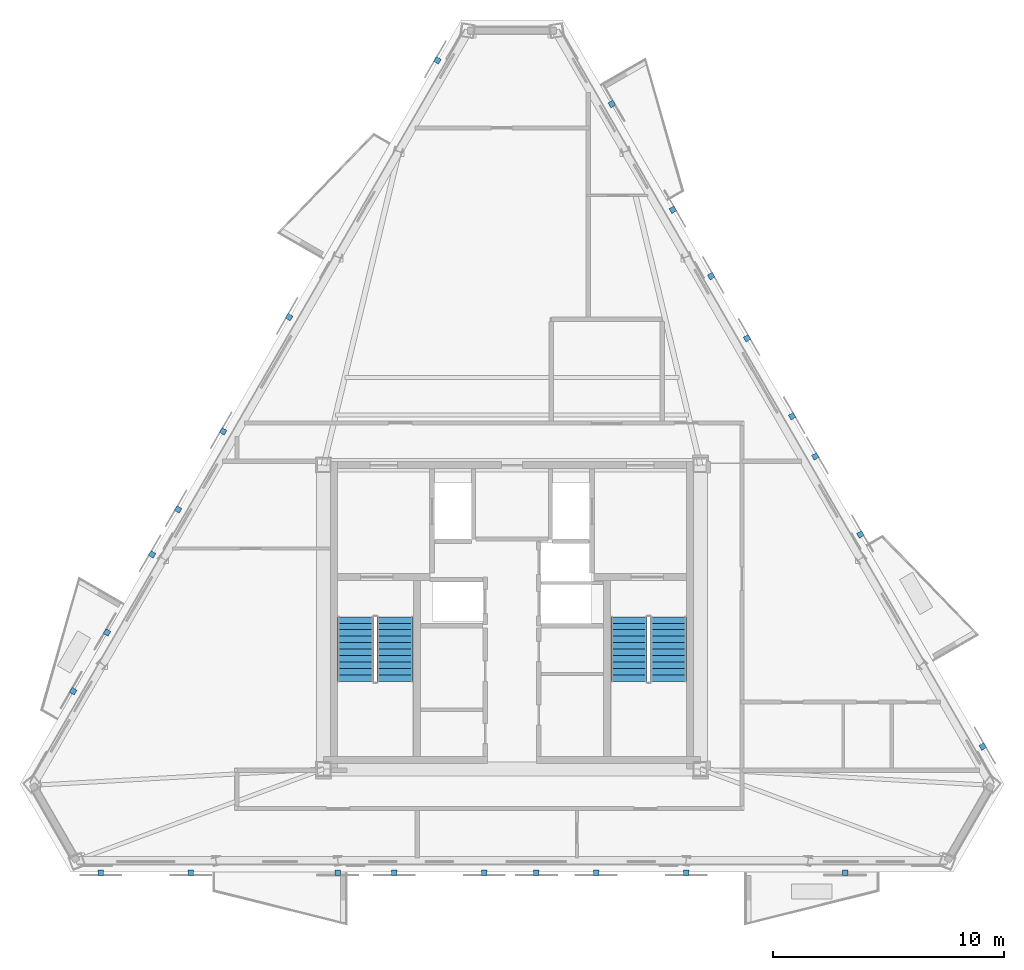
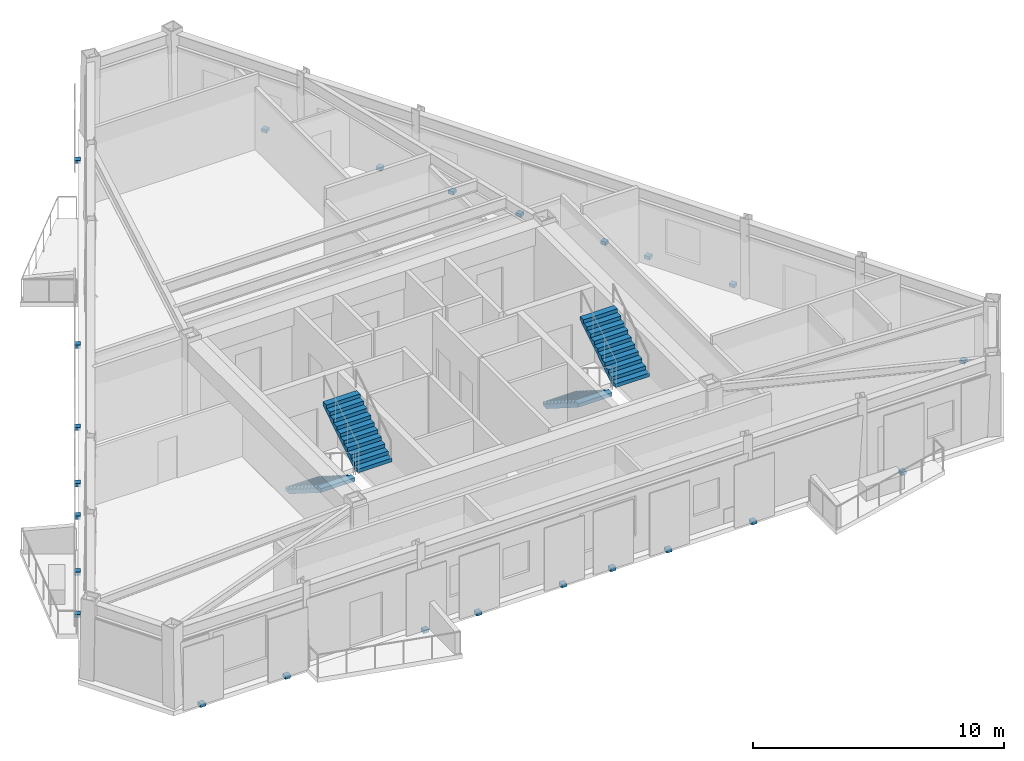
# One storey, part 5 of 9: 24 discrete accessories, 4 stair flights, 2 elements without a shape of their own.
"""IFC4 building model written with IfcOpenShell, lengths in metres."""

from ifc_helpers import new_model, si_unit, direction, frame, origin, origin_2d, place, context, subcontext, project, spatial, polyline, rectangle, outline, extrude, material, type_object, element, aggregate, save


model = new_model("IFC4")

# Units and contexts
model_context = context("Model", 3, precision=1e-05, world=origin(), true_north=direction((0.0, 1.0)))
body_context = subcontext(model_context, "Body", "Model", "MODEL_VIEW")
ifc_project = project(units=[si_unit("LENGTHUNIT", "METRE"), si_unit("AREAUNIT", "SQUARE_METRE"), si_unit("VOLUMEUNIT", "CUBIC_METRE"), si_unit("PLANEANGLEUNIT", "RADIAN"), si_unit("MASSUNIT", "GRAM", prefix="KILO")], contexts=[model_context])

# Site, building, storey
site_placement = place(None, origin())
site = spatial("IfcSite", under=ifc_project, at=site_placement, CompositionType="ELEMENT")
building_placement = place(site_placement, origin())
building = spatial("IfcBuilding", under=site, at=building_placement, Name="Oramaril Tower", CompositionType="ELEMENT")
storey_placement = place(building_placement, frame((0.0, 0.0, 301.199951171875)))
storey = spatial("IfcBuildingStorey", under=building, at=storey_placement, Name="L79", CompositionType="ELEMENT", Elevation=301.199951171875)

# Stair, stair flights
ifc_material_1 = material(Name="Concrete C50/60", Category="concrete")
stair_type = type_object("IfcStairType", Name="STT-DG-3900", PredefinedType="HALF_TURN_STAIR", material=ifc_material_1)
stair_1_placement = place(storey_placement, origin())
stair_1 = element("IfcStair", 1, at=stair_1_placement, inside=storey, type_object=stair_type, Name="L79 Protected PFP Exit Stair ST-1", PredefinedType="HALF_TURN_STAIR")
ifc_material_2 = material(Name="Concrete C50/60", Category="concrete")
stair_flight_type = type_object("IfcStairFlightType", Name="SFT-DG-3900", PredefinedType="STRAIGHT", material=ifc_material_2)
stair_flight_1_placement = place(storey_placement, frame((30.72998046875, 17.590087890625, 0.0), z_axis=(0.0, 0.0, 1.0), x_axis=(0.0, -1.0, 0.0)))
stair_flight_1 = element("IfcStairFlight", 2, at=stair_flight_1_placement, type_object=stair_flight_type, Name="ST-1 flight 1", NumberOfRisers=11, NumberOfTreads=10, PredefinedType="STRAIGHT", RiserHeight=0.177272727, TreadLength=0.28, context=body_context, shape_type="SweptSolid", body=[
    extrude(outline(polyline([(0.0, 0.0), (0.0, 0.17724609375), (0.280029296875, 0.17724609375), (0.280029296875, 0.3544921875), (0.56005859375, 0.3544921875), (0.56005859375, 0.53173828125), (0.840087890625, 0.53173828125), (0.840087890625, 0.708984375), (1.1201171875, 0.708984375), (1.1201171875, 0.886474609375), (1.39990234375, 0.886474609375), (1.39990234375, 1.063720703125), (1.679931640625, 1.063720703125), (1.679931640625, 1.240966796875), (1.9599609375, 1.240966796875), (1.9599609375, 1.418212890625), (2.239990234375, 1.418212890625), (2.239990234375, 1.595458984375), (2.52001953125, 1.595458984375), (2.52001953125, 1.772705078125), (2.800048828125, 1.772705078125), (2.800048828125, 1.949951171875), (2.800048828125, 1.59521484375), (0.2802734375, 0.0), (0.0, 0.0)])), frame((0.0, 0.780029296875, 0.0), z_axis=(0.0, -1.0, 0.0), x_axis=(1.0, 0.0, 0.0)), (0.0, 0.0, 1.0), 1.56005859375),
])
stair_flight_2_placement = place(storey_placement, frame((32.43994140625, 14.7900390625, 1.949951171875), z_axis=(0.0, 0.0, 1.0), x_axis=(0.0, 1.0, 0.0)))
stair_flight_2 = element("IfcStairFlight", 3, at=stair_flight_2_placement, type_object=stair_flight_type, Name="ST-1 flight 2", NumberOfRisers=11, NumberOfTreads=10, PredefinedType="STRAIGHT", RiserHeight=0.177272727, TreadLength=0.28, context=body_context, shape_type="SweptSolid", body=[
    extrude(outline(polyline([(0.0, 0.0), (0.0, 0.17724609375), (0.280029296875, 0.17724609375), (0.280029296875, 0.3544921875), (0.56005859375, 0.3544921875), (0.56005859375, 0.53173828125), (0.840087890625, 0.53173828125), (0.840087890625, 0.708984375), (1.1201171875, 0.708984375), (1.1201171875, 0.886474609375), (1.39990234375, 0.886474609375), (1.39990234375, 1.063720703125), (1.679931640625, 1.063720703125), (1.679931640625, 1.240966796875), (1.9599609375, 1.240966796875), (1.9599609375, 1.418212890625), (2.239990234375, 1.418212890625), (2.239990234375, 1.595458984375), (2.52001953125, 1.595458984375), (2.52001953125, 1.772705078125), (2.800048828125, 1.772705078125), (2.800048828125, 1.949951171875), (2.800048828125, 1.59521484375), (0.2802734375, 0.0), (0.0, 0.0)])), frame((0.0, 0.780029296875, 0.0), z_axis=(0.0, -1.0, 0.0), x_axis=(1.0, 0.0, 0.0)), (0.0, 0.0, 1.0), 1.56005859375),
])
aggregate(stair_1, [stair_flight_1, stair_flight_2])

stair_2_placement = place(storey_placement, origin())
stair_2 = element("IfcStair", 4, at=stair_2_placement, inside=storey, type_object=stair_type, Name="L79 Protected PFP Exit Stair ST-2", PredefinedType="HALF_TURN_STAIR")
stair_flight_3_placement = place(storey_placement, frame((42.56005859375, 17.590087890625, 0.0), z_axis=(0.0, 0.0, 1.0), x_axis=(0.0, -1.0, 0.0)))
stair_flight_3 = element("IfcStairFlight", 5, at=stair_flight_3_placement, type_object=stair_flight_type, Name="ST-2 flight 1", NumberOfRisers=11, NumberOfTreads=10, PredefinedType="STRAIGHT", RiserHeight=0.177272727, TreadLength=0.28, context=body_context, shape_type="SweptSolid", body=[
    extrude(outline(polyline([(0.0, 0.0), (0.0, 0.17724609375), (0.280029296875, 0.17724609375), (0.280029296875, 0.3544921875), (0.56005859375, 0.3544921875), (0.56005859375, 0.53173828125), (0.840087890625, 0.53173828125), (0.840087890625, 0.708984375), (1.1201171875, 0.708984375), (1.1201171875, 0.886474609375), (1.39990234375, 0.886474609375), (1.39990234375, 1.063720703125), (1.679931640625, 1.063720703125), (1.679931640625, 1.240966796875), (1.9599609375, 1.240966796875), (1.9599609375, 1.418212890625), (2.239990234375, 1.418212890625), (2.239990234375, 1.595458984375), (2.52001953125, 1.595458984375), (2.52001953125, 1.772705078125), (2.800048828125, 1.772705078125), (2.800048828125, 1.949951171875), (2.800048828125, 1.59521484375), (0.2802734375, 0.0), (0.0, 0.0)])), frame((0.0, 0.780029296875, 0.0), z_axis=(0.0, -1.0, 0.0), x_axis=(1.0, 0.0, 0.0)), (0.0, 0.0, 1.0), 1.56005859375),
])
stair_flight_4_placement = place(storey_placement, frame((44.27001953125, 14.7900390625, 1.949951171875), z_axis=(0.0, 0.0, 1.0), x_axis=(0.0, 1.0, 0.0)))
stair_flight_4 = element("IfcStairFlight", 6, at=stair_flight_4_placement, type_object=stair_flight_type, Name="ST-2 flight 2", NumberOfRisers=11, NumberOfTreads=10, PredefinedType="STRAIGHT", RiserHeight=0.177272727, TreadLength=0.28, context=body_context, shape_type="SweptSolid", body=[
    extrude(outline(polyline([(0.0, 0.0), (0.0, 0.17724609375), (0.280029296875, 0.17724609375), (0.280029296875, 0.3544921875), (0.56005859375, 0.3544921875), (0.56005859375, 0.53173828125), (0.840087890625, 0.53173828125), (0.840087890625, 0.708984375), (1.1201171875, 0.708984375), (1.1201171875, 0.886474609375), (1.39990234375, 0.886474609375), (1.39990234375, 1.063720703125), (1.679931640625, 1.063720703125), (1.679931640625, 1.240966796875), (1.9599609375, 1.240966796875), (1.9599609375, 1.418212890625), (2.239990234375, 1.418212890625), (2.239990234375, 1.595458984375), (2.52001953125, 1.595458984375), (2.52001953125, 1.772705078125), (2.800048828125, 1.772705078125), (2.800048828125, 1.949951171875), (2.800048828125, 1.59521484375), (0.2802734375, 0.0), (0.0, 0.0)])), frame((0.0, 0.780029296875, 0.0), z_axis=(0.0, -1.0, 0.0), x_axis=(1.0, 0.0, 0.0)), (0.0, 0.0, 1.0), 1.56005859375),
])
aggregate(stair_2, [stair_flight_3, stair_flight_4])

# Discrete accessories
for number, where, z_axis, x_axis, name in (
    (7, (41.14013671875, 6.517578125, -0.14013671875), (0.0, 0.0, 1.0), (1.0, 0.0, 0.0), "L79 Solar Screen Slab Bracket"),
    (8, (45.0400390625, 6.517578125, -0.14013671875), (0.0, 0.0, 1.0), (1.0, 0.0, 0.0), "L79 Solar Screen Slab Bracket"),
    (9, (51.9169921875, 6.517578125, -0.14013671875), (0.0, 0.0, 1.0), (1.0, 0.0, 0.0), "L79 Solar Screen Slab Bracket"),
    (10, (32.402099609375, 6.517578125, -0.14013671875), (0.0, 0.0, 1.0), (1.0, 0.0, 0.0), "L79 Solar Screen Slab Bracket"),
    (11, (36.302001953125, 6.517578125, -0.14013671875), (0.0, 0.0, 1.0), (1.0, 0.0, 0.0), "L79 Solar Screen Slab Bracket"),
    (12, (38.55712890625, 6.517578125, -0.14013671875), (0.0, 0.0, 1.0), (1.0, 0.0, 0.0), "L79 Solar Screen Slab Bracket"),
    (13, (19.7001953125, 6.517578125, -0.14013671875), (0.0, 0.0, 1.0), (1.0, 0.0, 0.0), "L79 Solar Screen Slab Bracket"),
    (14, (23.60009765625, 6.517578125, -0.14013671875), (0.0, 0.0, 1.0), (1.0, 0.0, 0.0), "L79 Solar Screen Slab Bracket"),
    (15, (29.956787109375, 6.517578125, -0.14013671875), (0.0, 0.0, 1.0), (1.0, 0.0, 0.0), "L79 Solar Screen Slab Bracket"),
    (16, (57.87548828125, 11.972900390625, -0.14013671875), (0.0, 0.0, 1.0), (-0.500001511499, 0.866024531118, 0.0), "L79 Solar Screen Slab Bracket"),
    (17, (52.576171875, 21.15185546875, -0.14013671875), (0.0, 0.0, 1.0), (-0.500001511499, 0.866024531118, 0.0), "L79 Solar Screen Slab Bracket"),
    (18, (50.626220703125, 24.529296875, -0.14013671875), (0.0, 0.0, 1.0), (-0.500001511499, 0.866024531118, 0.0), "L79 Solar Screen Slab Bracket"),
    (19, (41.8203125, 39.78173828125, -0.14013671875), (0.0, 0.0, 1.0), (-0.500001511499, 0.866024531118, 0.0), "L79 Solar Screen Slab Bracket"),
    (20, (49.62255859375, 26.267578125, -0.14013671875), (0.0, 0.0, 1.0), (-0.500001511499, 0.866024531118, 0.0), "L79 Solar Screen Slab Bracket"),
    (21, (47.672607421875, 29.64501953125, -0.14013671875), (0.0, 0.0, 1.0), (-0.500001511499, 0.866024531118, 0.0), "L79 Solar Screen Slab Bracket"),
    (22, (46.1201171875, 32.333984375, -0.14013671875), (0.0, 0.0, 1.0), (-0.500001511499, 0.866024531118, 0.0), "L79 Solar Screen Slab Bracket"),
    (23, (44.4619140625, 35.206298828125, -0.14013671875), (0.0, 0.0, 1.0), (-0.500001511499, 0.866024531118, 0.0), "L79 Solar Screen Slab Bracket"),
    (24, (21.92529296875, 20.2880859375, -0.14013671875), (0.0, 0.0, 1.0), (-0.500001511499, -0.866024531118, 0.0), "L79 Solar Screen Slab Bracket"),
    (25, (19.97509765625, 16.91064453125, -0.14013671875), (0.0, 0.0, 1.0), (-0.500001511499, -0.866024531118, 0.0), "L79 Solar Screen Slab Bracket"),
    (26, (18.508544921875, 14.3701171875, -0.14013671875), (0.0, 0.0, 1.0), (-0.500001511499, -0.866024531118, 0.0), "L79 Solar Screen Slab Bracket"),
    (27, (24.99951171875, 25.613037109375, -0.14013671875), (0.0, 0.0, 1.0), (-0.500001511499, -0.866024531118, 0.0), "L79 Solar Screen Slab Bracket"),
    (28, (23.049560546875, 22.235595703125, -0.14013671875), (0.0, 0.0, 1.0), (-0.500001511499, -0.866024531118, 0.0), "L79 Solar Screen Slab Bracket"),
    (29, (27.85400390625, 30.557373046875, -0.14013671875), (0.0, 0.0, 1.0), (-0.500001511499, -0.866024531118, 0.0), "L79 Solar Screen Slab Bracket"),
    (30, (34.27001953125, 41.669921875, -0.14013671875), (0.0, 0.0, 1.0), (-0.500001511499, -0.866024531118, 0.0), "L79 Solar Screen Slab Bracket"),
):
    element("IfcDiscreteAccessory", number, at=place(storey_placement, frame(where, z_axis=z_axis, x_axis=x_axis)), inside=storey, Name=name, PredefinedType="BRACKET", context=body_context, shape_type="SweptSolid", body=[
        extrude(rectangle(XDim=0.239990234375, YDim=0.239990234375, at=origin_2d()), origin(), (0.0, 0.0, 1.0), 0.159912109375),
    ])

save(model, "model.ifc")
